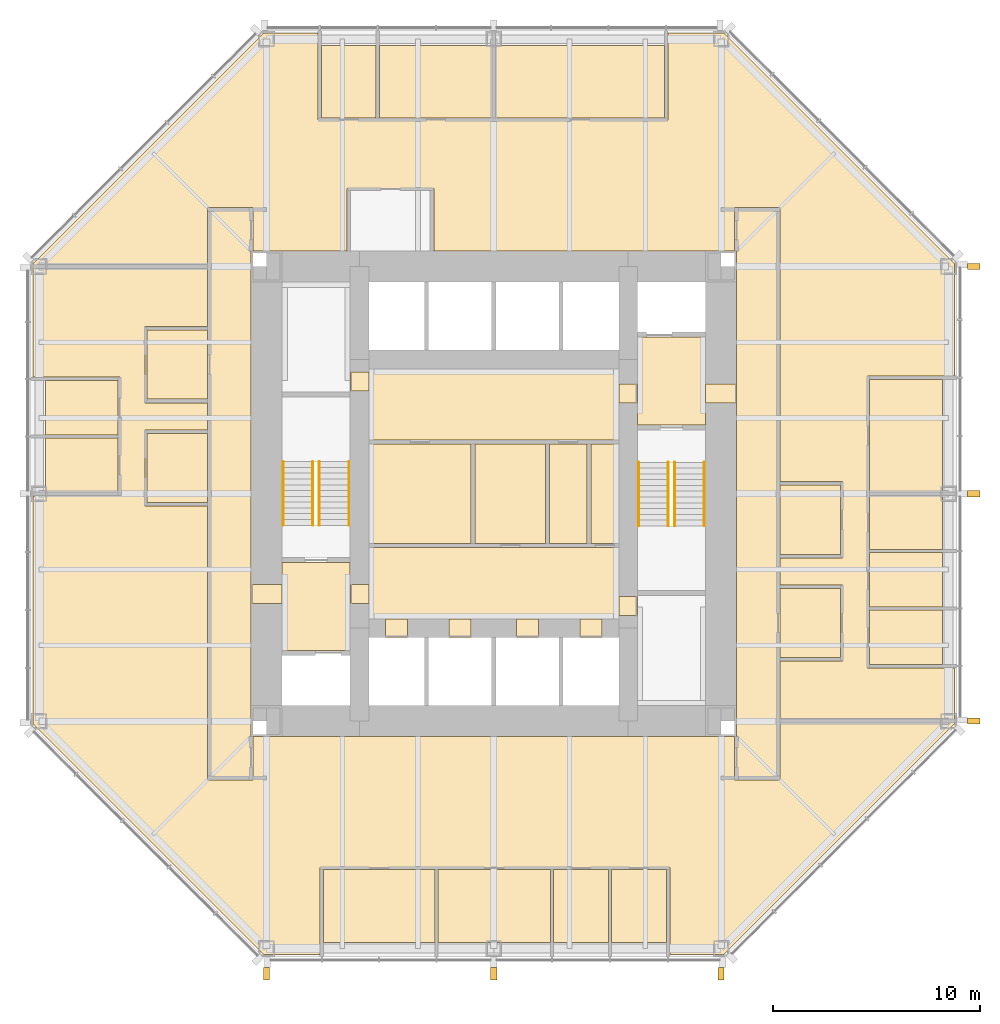
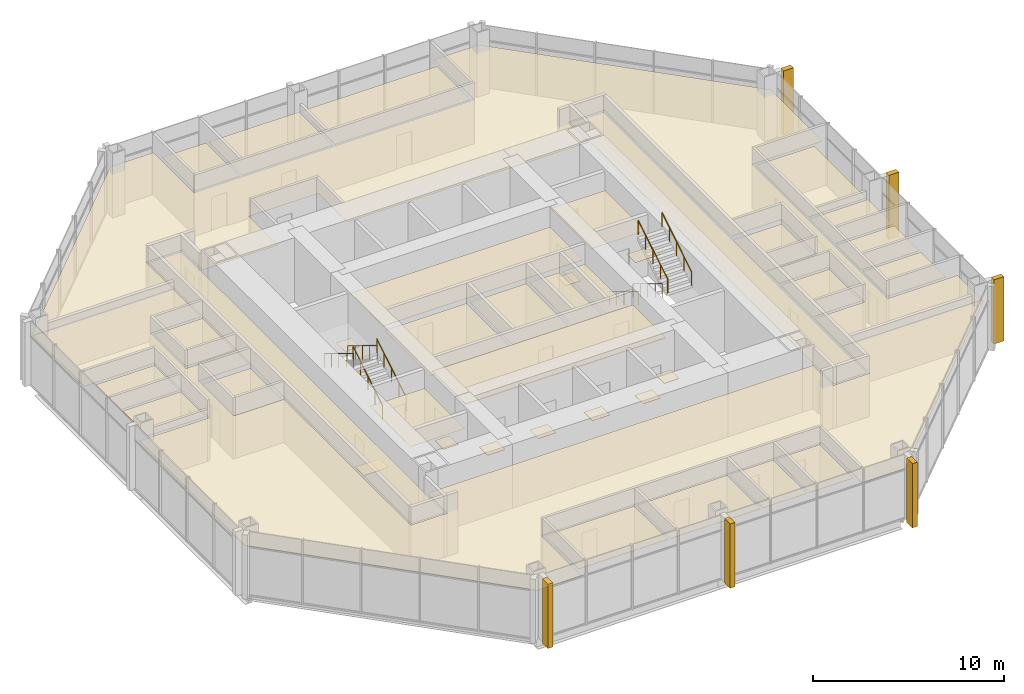
# One storey, part 12 of 12: 45 coverings, 8 railings.
"""IFC4 building model written with IfcOpenShell, lengths in metres."""

from ifc_helpers import new_model, si_unit, direction, frame, origin, origin_2d, place, context, subcontext, project, spatial, polyline, rectangle, circle, outline, extrude, material, layer, layer_set, type_object, element, save


model = new_model("IFC4")

# Units and contexts
model_context = context("Model", 3, precision=1e-05, world=origin(), true_north=direction((0.0, 1.0)))
body_context = subcontext(model_context, "Body", "Model", "MODEL_VIEW")
ifc_project = project(units=[si_unit("LENGTHUNIT", "METRE"), si_unit("AREAUNIT", "SQUARE_METRE"), si_unit("VOLUMEUNIT", "CUBIC_METRE"), si_unit("PLANEANGLEUNIT", "RADIAN"), si_unit("MASSUNIT", "GRAM", prefix="KILO")], contexts=[model_context])

# Site, building, storey
site_placement = place(None, origin())
site = spatial("IfcSite", under=ifc_project, at=site_placement, CompositionType="ELEMENT")
building_placement = place(site_placement, origin())
building = spatial("IfcBuilding", under=site, at=building_placement, Name="Trevanion Tower", CompositionType="ELEMENT")
storey_placement = place(building_placement, frame((0.0, 0.0, 141.800048828125)))
storey = spatial("IfcBuildingStorey", under=building, at=storey_placement, Name="L33", CompositionType="ELEMENT", Elevation=141.800048828125)

# Coverings
ifc_material_1 = material(Name="Fibrous plaster coffers on suspended steel grid", Category="steel")
ifc_layer_1 = layer(ifc_material_1, 0.050048828125)
ifc_layer_set_1 = layer_set([ifc_layer_1], Name="CL1 coffered fibrous plaster ceiling 50")
covering_type_1 = type_object("IfcCoveringType", Name="CL1 coffered fibrous plaster ceiling 50", PredefinedType="CEILING", material=ifc_layer_set_1)
covering_1_placement = place(storey_placement, frame((0.0, 0.0, 3.0)))
element("IfcCovering", 1, at=covering_1_placement, inside=storey, type_object=covering_type_1, Name="CL1 L33-LBS", PredefinedType="CEILING", context=body_context, shape_type="SweptSolid", body=[
    extrude(outline(polyline([(6.050048828125, -6.050048828125), (6.050048828125, -2.60009765625), (-6.050048828125, -2.60009765625), (-6.050048828125, -6.050048828125), (6.050048828125, -6.050048828125)])), origin(), (0.0, 0.0, 1.0), 0.050048828125),
])
ifc_material_2 = material(Name="Mineral fibre acoustic tiles in exposed grid", Category="mineral fibre")
ifc_layer_2 = layer(ifc_material_2, 0.02001953125)
ifc_layer_set_2 = layer_set([ifc_layer_2], Name="CL2 acoustic tile ceiling 20")
covering_type_2 = type_object("IfcCoveringType", Name="CL2 acoustic tile ceiling 20", PredefinedType="CEILING", material=ifc_layer_set_2)
covering_2_placement = place(storey_placement, frame((0.0, 0.0, 2.75)))
element("IfcCovering", 2, at=covering_2_placement, inside=storey, type_object=covering_type_2, Name="CL2 L33-LBN", PredefinedType="CEILING", context=body_context, shape_type="SweptSolid", body=[
    extrude(outline(polyline([(6.050048828125, 2.60009765625), (6.050048828125, 6.050048828125), (-6.050048828125, 6.050048828125), (-6.050048828125, 2.60009765625), (6.050048828125, 2.60009765625)])), origin(), (0.0, 0.0, 1.0), 0.02001953125),
])
covering_3_placement = place(storey_placement, frame((0.0, 0.0, 2.75)))
element("IfcCovering", 3, at=covering_3_placement, inside=storey, type_object=covering_type_2, Name="CL2 L33-CO1", PredefinedType="CEILING", context=body_context, shape_type="SweptSolid", body=[
    extrude(outline(polyline([(-11.75, 13.75), (-11.75, -13.75), (-13.75, -13.75), (-13.75, 13.75), (-11.75, 13.75)])), origin(), (0.0, 0.0, 1.0), 0.02001953125),
])
covering_4_placement = place(storey_placement, frame((0.0, 0.0, 2.75)))
element("IfcCovering", 4, at=covering_4_placement, inside=storey, type_object=covering_type_2, Name="CL2 L33-CO2", PredefinedType="CEILING", context=body_context, shape_type="SweptSolid", body=[
    extrude(outline(polyline([(11.75, 13.75), (13.75, 13.75), (13.75, -13.75), (11.75, -13.75), (11.75, 13.75)])), origin(), (0.0, 0.0, 1.0), 0.02001953125),
])
covering_5_placement = place(storey_placement, frame((0.0, 0.0, 2.75)))
element("IfcCovering", 5, at=covering_5_placement, inside=storey, type_object=covering_type_2, Name="CL2 L33-BR", PredefinedType="CEILING", context=body_context, shape_type="SweptSolid", body=[
    extrude(outline(polyline([(8.248046875, 18.175048828125), (0.074951171875, 18.175048828125), (0.074951171875, 21.699951171875), (8.248046875, 21.699951171875), (8.248046875, 18.175048828125)])), origin(), (0.0, 0.0, 1.0), 0.02001953125),
])
covering_6_placement = place(storey_placement, frame((0.0, 0.0, 2.75)))
element("IfcCovering", 6, at=covering_6_placement, inside=storey, type_object=covering_type_2, Name="CL2 L33-MR", PredefinedType="CEILING", context=body_context, shape_type="SweptSolid", body=[
    extrude(outline(polyline([(-0.074951171875, 18.175048828125), (-5.5390625, 18.175048828125), (-5.5390625, 21.699951171875), (-0.074951171875, 21.699951171875), (-0.074951171875, 18.175048828125)])), origin(), (0.0, 0.0, 1.0), 0.02001953125),
])
covering_7_placement = place(storey_placement, frame((0.0, 0.0, 2.75)))
element("IfcCovering", 7, at=covering_7_placement, inside=storey, type_object=covering_type_2, Name="CL2 L33-OF", PredefinedType="CEILING", context=body_context, shape_type="SweptSolid", body=[
    extrude(outline(polyline([(-5.68896484375, 18.175048828125), (-8.345947265625, 18.175048828125), (-8.345947265625, 21.699951171875), (-5.68896484375, 21.699951171875), (-5.68896484375, 18.175048828125)])), origin(), (0.0, 0.0, 1.0), 0.02001953125),
])
covering_8_placement = place(storey_placement, frame((0.0, 0.0, 2.75)))
element("IfcCovering", 8, at=covering_8_placement, inside=storey, type_object=covering_type_2, Name="CL2 L33-MR2", PredefinedType="CEILING", context=body_context, shape_type="SweptSolid", body=[
    extrude(outline(polyline([(-8.248046875, -18.175048828125), (-2.85009765625, -18.175048828125), (-2.85009765625, -21.699951171875), (-8.248046875, -21.699951171875), (-8.248046875, -18.175048828125)])), origin(), (0.0, 0.0, 1.0), 0.02001953125),
])
covering_9_placement = place(storey_placement, frame((0.0, 0.0, 2.75)))
element("IfcCovering", 9, at=covering_9_placement, inside=storey, type_object=covering_type_2, Name="CL2 L33-MR3", PredefinedType="CEILING", context=body_context, shape_type="SweptSolid", body=[
    extrude(outline(polyline([(-2.699951171875, -18.175048828125), (2.73193359375, -18.175048828125), (2.73193359375, -21.699951171875), (-2.699951171875, -21.699951171875), (-2.699951171875, -18.175048828125)])), origin(), (0.0, 0.0, 1.0), 0.02001953125),
])
covering_10_placement = place(storey_placement, frame((0.0, 0.0, 2.75)))
element("IfcCovering", 10, at=covering_10_placement, inside=storey, type_object=covering_type_2, Name="CL2 L33-OF2", PredefinedType="CEILING", context=body_context, shape_type="SweptSolid", body=[
    extrude(outline(polyline([(2.882080078125, -18.175048828125), (5.5390625, -18.175048828125), (5.5390625, -21.699951171875), (2.882080078125, -21.699951171875), (2.882080078125, -18.175048828125)])), origin(), (0.0, 0.0, 1.0), 0.02001953125),
])
covering_11_placement = place(storey_placement, frame((0.0, 0.0, 2.75)))
element("IfcCovering", 11, at=covering_11_placement, inside=storey, type_object=covering_type_2, Name="CL2 L33-OF3", PredefinedType="CEILING", context=body_context, shape_type="SweptSolid", body=[
    extrude(outline(polyline([(5.68896484375, -18.175048828125), (8.345947265625, -18.175048828125), (8.345947265625, -21.699951171875), (5.68896484375, -21.699951171875), (5.68896484375, -18.175048828125)])), origin(), (0.0, 0.0, 1.0), 0.02001953125),
])
covering_12_placement = place(storey_placement, frame((0.0, 0.0, 2.75)))
element("IfcCovering", 12, at=covering_12_placement, inside=storey, type_object=covering_type_2, Name="CL2 L33-OF4", PredefinedType="CEILING", context=body_context, shape_type="SweptSolid", body=[
    extrude(outline(polyline([(18.175048828125, -8.248046875), (18.175048828125, -5.6240234375), (21.699951171875, -5.6240234375), (21.699951171875, -8.248046875), (18.175048828125, -8.248046875)])), origin(), (0.0, 0.0, 1.0), 0.02001953125),
])
covering_13_placement = place(storey_placement, frame((0.0, 0.0, 2.75)))
element("IfcCovering", 13, at=covering_13_placement, inside=storey, type_object=covering_type_2, Name="CL2 L33-OF5", PredefinedType="CEILING", context=body_context, shape_type="SweptSolid", body=[
    extrude(outline(polyline([(18.175048828125, -5.47412109375), (18.175048828125, -2.85009765625), (21.699951171875, -2.85009765625), (21.699951171875, -5.47412109375), (18.175048828125, -5.47412109375)])), origin(), (0.0, 0.0, 1.0), 0.02001953125),
])
covering_14_placement = place(storey_placement, frame((0.0, 0.0, 2.75)))
element("IfcCovering", 14, at=covering_14_placement, inside=storey, type_object=covering_type_2, Name="CL2 L33-OF6", PredefinedType="CEILING", context=body_context, shape_type="SweptSolid", body=[
    extrude(outline(polyline([(18.175048828125, -2.699951171875), (18.175048828125, -0.074951171875), (21.699951171875, -0.074951171875), (21.699951171875, -2.699951171875), (18.175048828125, -2.699951171875)])), origin(), (0.0, 0.0, 1.0), 0.02001953125),
])
covering_15_placement = place(storey_placement, frame((0.0, 0.0, 2.75)))
element("IfcCovering", 15, at=covering_15_placement, inside=storey, type_object=covering_type_2, Name="CL2 L33-MR4", PredefinedType="CEILING", context=body_context, shape_type="SweptSolid", body=[
    extrude(outline(polyline([(18.175048828125, 0.074951171875), (18.175048828125, 5.5390625), (21.699951171875, 5.5390625), (21.699951171875, 0.074951171875), (18.175048828125, 0.074951171875)])), origin(), (0.0, 0.0, 1.0), 0.02001953125),
])
covering_16_placement = place(storey_placement, frame((0.0, 0.0, 2.75)))
element("IfcCovering", 16, at=covering_16_placement, inside=storey, type_object=covering_type_2, Name="CL2 L33-OF7", PredefinedType="CEILING", context=body_context, shape_type="SweptSolid", body=[
    extrude(outline(polyline([(-18.175048828125, 5.47412109375), (-18.175048828125, 2.85009765625), (-21.699951171875, 2.85009765625), (-21.699951171875, 5.47412109375), (-18.175048828125, 5.47412109375)])), origin(), (0.0, 0.0, 1.0), 0.02001953125),
])
covering_17_placement = place(storey_placement, frame((0.0, 0.0, 2.75)))
element("IfcCovering", 17, at=covering_17_placement, inside=storey, type_object=covering_type_2, Name="CL2 L33-OF8", PredefinedType="CEILING", context=body_context, shape_type="SweptSolid", body=[
    extrude(outline(polyline([(-18.175048828125, 2.699951171875), (-18.175048828125, 0.074951171875), (-21.699951171875, 0.074951171875), (-21.699951171875, 2.699951171875), (-18.175048828125, 2.699951171875)])), origin(), (0.0, 0.0, 1.0), 0.02001953125),
])
covering_18_placement = place(storey_placement, frame((0.0, 0.0, 2.75)))
element("IfcCovering", 18, at=covering_18_placement, inside=storey, type_object=covering_type_2, Name="CL2 L33-RC", PredefinedType="CEILING", context=body_context, shape_type="SweptSolid", body=[
    extrude(outline(polyline([(13.85009765625, -7.925048828125), (13.85009765625, -4.574951171875), (16.77490234375, -4.574951171875), (16.77490234375, -7.925048828125), (13.85009765625, -7.925048828125)])), origin(), (0.0, 0.0, 1.0), 0.02001953125),
])
covering_19_placement = place(storey_placement, frame((0.0, 0.0, 2.75)))
element("IfcCovering", 19, at=covering_19_placement, inside=storey, type_object=covering_type_2, Name="CL2 L33-RC2", PredefinedType="CEILING", context=body_context, shape_type="SweptSolid", body=[
    extrude(outline(polyline([(-13.85009765625, 7.925048828125), (-13.85009765625, 4.574951171875), (-16.77490234375, 4.574951171875), (-16.77490234375, 7.925048828125), (-13.85009765625, 7.925048828125)])), origin(), (0.0, 0.0, 1.0), 0.02001953125),
])
covering_20_placement = place(storey_placement, frame((0.0, 0.0, 2.75)))
element("IfcCovering", 20, at=covering_20_placement, inside=storey, type_object=covering_type_2, Name="CL2 L33-OP", PredefinedType="CEILING", context=body_context, shape_type="SweptSolid", body=[
    extrude(outline(polyline([(11.64990234375, 13.85009765625), (11.64990234375, 11.75), (-2.905029296875, 11.75), (-2.905029296875, 14.77001953125), (-7.094970703125, 14.77001953125), (-7.094970703125, 11.75), (-11.64990234375, 11.75), (-11.64990234375, 13.85009765625), (-13.85009765625, 13.85009765625), (-13.85009765625, 11.0), (-22.300048828125, 11.0), (-22.300048828125, 11.124267578125), (-11.124267578125, 22.300048828125), (-8.51611328125, 22.300048828125), (-8.51611328125, 18.080078125), (8.41796875, 18.080078125), (8.41796875, 22.300048828125), (11.124267578125, 22.300048828125), (22.300048828125, 11.124267578125), (22.300048828125, 5.708984375), (18.080078125, 5.708984375), (18.080078125, -8.41796875), (22.300048828125, -8.41796875), (22.300048828125, -11.0), (13.85009765625, -11.0), (13.85009765625, -8.094970703125), (16.8701171875, -8.094970703125), (16.8701171875, -4.405029296875), (13.85009765625, -4.405029296875), (13.85009765625, -3.094970703125), (16.8701171875, -3.094970703125), (16.8701171875, 0.594970703125), (13.85009765625, 0.594970703125), (13.85009765625, 13.85009765625), (11.64990234375, 13.85009765625)])), origin(), (0.0, 0.0, 1.0), 0.02001953125),
])
covering_21_placement = place(storey_placement, frame((0.0, 0.0, 2.75)))
element("IfcCovering", 21, at=covering_21_placement, inside=storey, type_object=covering_type_2, Name="CL2 L33-OP2", PredefinedType="CEILING", context=body_context, shape_type="SweptSolid", body=[
    extrude(outline(polyline([(11.64990234375, -13.85009765625), (13.85009765625, -13.85009765625), (13.85009765625, -11.0), (22.300048828125, -11.0), (22.300048828125, -11.124267578125), (11.124267578125, -22.300048828125), (8.51611328125, -22.300048828125), (8.51611328125, -18.080078125), (-8.41796875, -18.080078125), (-8.41796875, -22.300048828125), (-11.124267578125, -22.300048828125), (-22.300048828125, -11.124267578125), (-22.300048828125, -0.094970703125), (-18.080078125, -0.094970703125), (-18.080078125, 5.64404296875), (-22.300048828125, 5.64404296875), (-22.300048828125, 11.0), (-13.85009765625, 11.0), (-13.85009765625, 8.094970703125), (-16.8701171875, 8.094970703125), (-16.8701171875, 4.405029296875), (-13.85009765625, 4.405029296875), (-13.85009765625, 3.094970703125), (-16.8701171875, 3.094970703125), (-16.8701171875, -0.594970703125), (-13.85009765625, -0.594970703125), (-13.85009765625, -13.85009765625), (-11.64990234375, -13.85009765625), (-11.64990234375, -11.75), (11.64990234375, -11.75), (11.64990234375, -13.85009765625)])), origin(), (0.0, 0.0, 1.0), 0.02001953125),
])
ifc_material_3 = material(Name="Gypsum plasterboard on suspended metal furring", Category="gypsum")
ifc_layer_3 = layer(ifc_material_3, 0.012939453125)
ifc_layer_set_3 = layer_set([ifc_layer_3], Name="CL3 plasterboard ceiling 13")
covering_type_3 = type_object("IfcCoveringType", Name="CL3 plasterboard ceiling 13", PredefinedType="CEILING", material=ifc_layer_set_3)
covering_22_placement = place(storey_placement, frame((0.0, 0.0, 2.699951171875)))
element("IfcCovering", 22, at=covering_22_placement, inside=storey, type_object=covering_type_3, Name="CL3 L33-FV1", PredefinedType="CEILING", context=body_context, shape_type="SweptSolid", body=[
    extrude(outline(polyline([(10.25, 3.324951171875), (10.25, 7.574951171875), (6.949951171875, 7.574951171875), (6.949951171875, 3.324951171875), (10.25, 3.324951171875)])), origin(), (0.0, 0.0, 1.0), 0.012939453125),
])
covering_23_placement = place(storey_placement, frame((0.0, 0.0, 2.699951171875)))
element("IfcCovering", 23, at=covering_23_placement, inside=storey, type_object=covering_type_3, Name="CL3 L33-FV2", PredefinedType="CEILING", context=body_context, shape_type="SweptSolid", body=[
    extrude(outline(polyline([(-10.25, -3.324951171875), (-10.25, -7.574951171875), (-6.949951171875, -7.574951171875), (-6.949951171875, -3.324951171875), (-10.25, -3.324951171875)])), origin(), (0.0, 0.0, 1.0), 0.012939453125),
])
ifc_material_4 = material(Name="Moisture-resistant gypsum board on suspended metal furring", Category="gypsum")
ifc_layer_4 = layer(ifc_material_4, 0.01611328125)
ifc_layer_set_4 = layer_set([ifc_layer_4], Name="CL4 moisture-resistant board ceiling 16")
covering_type_4 = type_object("IfcCoveringType", Name="CL4 moisture-resistant board ceiling 16", PredefinedType="CEILING", material=ifc_layer_set_4)
covering_24_placement = place(storey_placement, frame((0.0, 0.0, 2.599853515625)))
element("IfcCovering", 24, at=covering_24_placement, inside=storey, type_object=covering_type_4, Name="CL4 L33-WCM", PredefinedType="CEILING", context=body_context, shape_type="SweptSolid", body=[
    extrude(outline(polyline([(-1.10009765625, -2.39990234375), (-1.10009765625, 2.39990234375), (-6.050048828125, 2.39990234375), (-6.050048828125, -2.39990234375), (-1.10009765625, -2.39990234375)])), origin(), (0.0, 0.0, 1.0), 0.01611328125),
])
covering_25_placement = place(storey_placement, frame((0.0, 0.0, 2.599853515625)))
element("IfcCovering", 25, at=covering_25_placement, inside=storey, type_object=covering_type_4, Name="CL4 L33-WCF", PredefinedType="CEILING", context=body_context, shape_type="SweptSolid", body=[
    extrude(outline(polyline([(2.5, -2.39990234375), (2.5, 2.39990234375), (-0.89990234375, 2.39990234375), (-0.89990234375, -2.39990234375), (2.5, -2.39990234375)])), origin(), (0.0, 0.0, 1.0), 0.01611328125),
])
covering_26_placement = place(storey_placement, frame((0.0, 0.0, 2.599853515625)))
element("IfcCovering", 26, at=covering_26_placement, inside=storey, type_object=covering_type_4, Name="CL4 L33-WCA", PredefinedType="CEILING", context=body_context, shape_type="SweptSolid", body=[
    extrude(outline(polyline([(4.5, -2.39990234375), (4.5, 2.39990234375), (2.699951171875, 2.39990234375), (2.699951171875, -2.39990234375), (4.5, -2.39990234375)])), origin(), (0.0, 0.0, 1.0), 0.01611328125),
])
covering_27_placement = place(storey_placement, frame((0.0, 0.0, 2.599853515625)))
element("IfcCovering", 27, at=covering_27_placement, inside=storey, type_object=covering_type_4, Name="CL4 L33-SH", PredefinedType="CEILING", context=body_context, shape_type="SweptSolid", body=[
    extrude(outline(polyline([(6.050048828125, -2.39990234375), (6.050048828125, 2.39990234375), (4.699951171875, 2.39990234375), (4.699951171875, -2.39990234375), (6.050048828125, -2.39990234375)])), origin(), (0.0, 0.0, 1.0), 0.01611328125),
])
covering_28_placement = place(storey_placement, frame((0.0, 0.0, 2.599853515625)))
element("IfcCovering", 28, at=covering_28_placement, inside=storey, type_object=covering_type_4, Name="CL4 L33-PA", PredefinedType="CEILING", context=body_context, shape_type="SweptSolid", body=[
    extrude(outline(polyline([(13.85009765625, -2.925048828125), (13.85009765625, 0.425048828125), (16.77490234375, 0.425048828125), (16.77490234375, -2.925048828125), (13.85009765625, -2.925048828125)])), origin(), (0.0, 0.0, 1.0), 0.01611328125),
])
covering_29_placement = place(storey_placement, frame((0.0, 0.0, 2.599853515625)))
element("IfcCovering", 29, at=covering_29_placement, inside=storey, type_object=covering_type_4, Name="CL4 L33-PA2", PredefinedType="CEILING", context=body_context, shape_type="SweptSolid", body=[
    extrude(outline(polyline([(-13.85009765625, 2.925048828125), (-13.85009765625, -0.425048828125), (-16.77490234375, -0.425048828125), (-16.77490234375, 2.925048828125), (-13.85009765625, 2.925048828125)])), origin(), (0.0, 0.0, 1.0), 0.01611328125),
])
ifc_material_5 = material(Name="Cast bronze fin on aluminium carrier", Category="aluminium")
covering_type_5 = type_object("IfcCoveringType", Name="F1 bronze fin", PredefinedType="CLADDING", material=ifc_material_5)
for number, where, z_axis, x_axis, name in (
    (30, (23.22509765625, -11.0, -0.190185546875), (0.0, 0.0, 1.0), (0.0, 1.0, 0.0), "F1 L33 east -11.0"),
    (31, (23.22509765625, 0.0, -0.190185546875), (0.0, 0.0, 1.0), (0.0, 1.0, 0.0), "F1 L33 east +0.0"),
    (32, (23.22509765625, 11.0, -0.190185546875), (0.0, 0.0, 1.0), (0.0, 1.0, 0.0), "F1 L33 east +11.0"),
    (33, (-11.0, -23.22509765625, -0.190185546875), (0.0, 0.0, 1.0), (1.0, 0.0, 0.0), "F1 L33 south -11.0"),
    (34, (0.0, -23.22509765625, -0.190185546875), (0.0, 0.0, 1.0), (1.0, 0.0, 0.0), "F1 L33 south +0.0"),
    (35, (11.0, -23.22509765625, -0.190185546875), (0.0, 0.0, 1.0), (1.0, 0.0, 0.0), "F1 L33 south +11.0"),
):
    element("IfcCovering", number, at=place(storey_placement, frame(where, z_axis=z_axis, x_axis=x_axis)), inside=storey, type_object=covering_type_5, Name=name, PredefinedType="CLADDING", context=body_context, shape_type="SweptSolid", body=[
        extrude(rectangle(XDim=0.300048828125, YDim=0.60009765625, at=origin_2d()), origin(), (0.0, 0.0, 1.0), 4.10009765625),
    ])
ifc_material_6 = material(Name="Terrazzo, brass divider strips", Category="stone")
ifc_layer_5 = layer(ifc_material_6, 0.02001953125)
ifc_layer_set_5 = layer_set([ifc_layer_5], Name="FF1 terrazzo flooring")
covering_type_6 = type_object("IfcCoveringType", Name="FF1 terrazzo flooring", PredefinedType="FLOORING", material=ifc_layer_set_5)
covering_30_placement = place(storey_placement, origin())
element("IfcCovering", 36, at=covering_30_placement, inside=storey, type_object=covering_type_6, Name="FF1 threshold 33-001", PredefinedType="FLOORING", context=body_context, shape_type="SweptSolid", body=[
    extrude(outline(polyline([(11.75, 4.392578125), (11.75, 5.3076171875), (10.25, 5.3076171875), (10.25, 4.392578125), (11.75, 4.392578125)])), origin(), (0.0, 0.0, 1.0), 0.02001953125),
])
covering_31_placement = place(storey_placement, origin())
element("IfcCovering", 37, at=covering_31_placement, inside=storey, type_object=covering_type_6, Name="FF1 threshold 33-002", PredefinedType="FLOORING", context=body_context, shape_type="SweptSolid", body=[
    extrude(outline(polyline([(-11.75, -4.392578125), (-11.75, -5.3076171875), (-10.25, -5.3076171875), (-10.25, -4.392578125), (-11.75, -4.392578125)])), origin(), (0.0, 0.0, 1.0), 0.02001953125),
])
covering_32_placement = place(storey_placement, origin())
element("IfcCovering", 38, at=covering_32_placement, inside=storey, type_object=covering_type_6, Name="FF1 threshold 33-003", PredefinedType="FLOORING", context=body_context, shape_type="SweptSolid", body=[
    extrude(outline(polyline([(6.949951171875, 4.392578125), (6.949951171875, 5.3076171875), (6.050048828125, 5.3076171875), (6.050048828125, 4.392578125), (6.949951171875, 4.392578125)])), origin(), (0.0, 0.0, 1.0), 0.02001953125),
])
covering_33_placement = place(storey_placement, origin())
element("IfcCovering", 39, at=covering_33_placement, inside=storey, type_object=covering_type_6, Name="FF1 threshold 33-004", PredefinedType="FLOORING", context=body_context, shape_type="SweptSolid", body=[
    extrude(outline(polyline([(-6.949951171875, -4.392578125), (-6.949951171875, -5.3076171875), (-6.050048828125, -5.3076171875), (-6.050048828125, -4.392578125), (-6.949951171875, -4.392578125)])), origin(), (0.0, 0.0, 1.0), 0.02001953125),
])
covering_34_placement = place(storey_placement, origin())
element("IfcCovering", 40, at=covering_34_placement, inside=storey, type_object=covering_type_6, Name="FF1 threshold 33-009", PredefinedType="FLOORING", context=body_context, shape_type="SweptSolid", body=[
    extrude(outline(polyline([(6.949951171875, -5.889892578125), (6.949951171875, -4.97509765625), (6.050048828125, -4.97509765625), (6.050048828125, -5.889892578125), (6.949951171875, -5.889892578125)])), origin(), (0.0, 0.0, 1.0), 0.02001953125),
])
covering_35_placement = place(storey_placement, origin())
element("IfcCovering", 41, at=covering_35_placement, inside=storey, type_object=covering_type_6, Name="FF1 threshold 33-010", PredefinedType="FLOORING", context=body_context, shape_type="SweptSolid", body=[
    extrude(outline(polyline([(-6.949951171875, 5.889892578125), (-6.949951171875, 4.97509765625), (-6.050048828125, 4.97509765625), (-6.050048828125, 5.889892578125), (-6.949951171875, 5.889892578125)])), origin(), (0.0, 0.0, 1.0), 0.02001953125),
])
covering_36_placement = place(storey_placement, origin())
element("IfcCovering", 42, at=covering_36_placement, inside=storey, type_object=covering_type_6, Name="FF1 threshold 33-011", PredefinedType="FLOORING", context=body_context, shape_type="SweptSolid", body=[
    extrude(outline(polyline([(-5.2333984375, -6.949951171875), (-4.16650390625, -6.949951171875), (-4.16650390625, -6.050048828125), (-5.2333984375, -6.050048828125), (-5.2333984375, -6.949951171875)])), origin(), (0.0, 0.0, 1.0), 0.02001953125),
])
covering_37_placement = place(storey_placement, origin())
element("IfcCovering", 43, at=covering_37_placement, inside=storey, type_object=covering_type_6, Name="FF1 threshold 33-012", PredefinedType="FLOORING", context=body_context, shape_type="SweptSolid", body=[
    extrude(outline(polyline([(-2.158447265625, -6.949951171875), (-1.091552734375, -6.949951171875), (-1.091552734375, -6.050048828125), (-2.158447265625, -6.050048828125), (-2.158447265625, -6.949951171875)])), origin(), (0.0, 0.0, 1.0), 0.02001953125),
])
covering_38_placement = place(storey_placement, origin())
element("IfcCovering", 44, at=covering_38_placement, inside=storey, type_object=covering_type_6, Name="FF1 threshold 33-013", PredefinedType="FLOORING", context=body_context, shape_type="SweptSolid", body=[
    extrude(outline(polyline([(1.091552734375, -6.949951171875), (2.158447265625, -6.949951171875), (2.158447265625, -6.050048828125), (1.091552734375, -6.050048828125), (1.091552734375, -6.949951171875)])), origin(), (0.0, 0.0, 1.0), 0.02001953125),
])
covering_39_placement = place(storey_placement, origin())
element("IfcCovering", 45, at=covering_39_placement, inside=storey, type_object=covering_type_6, Name="FF1 threshold 33-014", PredefinedType="FLOORING", context=body_context, shape_type="SweptSolid", body=[
    extrude(outline(polyline([(4.16650390625, -6.949951171875), (5.2333984375, -6.949951171875), (5.2333984375, -6.050048828125), (4.16650390625, -6.050048828125), (4.16650390625, -6.949951171875)])), origin(), (0.0, 0.0, 1.0), 0.02001953125),
])

# Railings
ifc_material_7 = material(Name="Stainless steel tube 40 mm", Category="steel")
railing_type = type_object("IfcRailingType", Name="HR1 handrail", PredefinedType="HANDRAIL", material=ifc_material_7)
for number, where, name in (
    (46, (7.010009765625, 1.52490234375, 0.170654296875), "HR1 ST1 L33 flight 1"),
    (47, (8.43994140625, 1.52490234375, 0.170654296875), "HR1 ST1 L33 flight 1"),
):
    element("IfcRailing", number, at=place(storey_placement, frame(where)), inside=storey, type_object=railing_type, Name=name, PredefinedType="HANDRAIL", context=body_context, shape_type="SweptSolid", body=[
        extrude(circle(Radius=0.02001953125, at=origin_2d()), frame((0.0, 0.0, 0.8798828125), z_axis=(0.0, -0.853617861917, 0.520899746416), x_axis=(1.0, 0.0, 0.0)), (0.0, 0.0, 1.0), 3.60791015625),
        extrude(circle(Radius=0.01513671875, at=origin_2d()), origin(), (0.0, 0.0, 1.0), 0.85986328125),
        extrude(circle(Radius=0.01513671875, at=origin_2d()), frame((0.0, -0.77001953125, 0.4697265625)), (0.0, 0.0, 1.0), 0.85986328125),
        extrude(circle(Radius=0.01513671875, at=origin_2d()), frame((0.0, -1.5400390625, 0.939697265625)), (0.0, 0.0, 1.0), 0.85986328125),
        extrude(circle(Radius=0.01513671875, at=origin_2d()), frame((0.0, -2.309814453125, 1.40966796875)), (0.0, 0.0, 1.0), 0.85986328125),
        extrude(circle(Radius=0.01513671875, at=origin_2d()), frame((0.0, -3.079833984375, 1.87939453125)), (0.0, 0.0, 1.0), 0.85986328125),
    ])
for number, where, name in (
    (48, (8.760009765625, -1.554931640625, 2.220703125), "HR1 ST1 L33 flight 2"),
    (49, (10.18994140625, -1.554931640625, 2.220703125), "HR1 ST1 L33 flight 2"),
):
    element("IfcRailing", number, at=place(storey_placement, frame(where)), inside=storey, type_object=railing_type, Name=name, PredefinedType="HANDRAIL", context=body_context, shape_type="SweptSolid", body=[
        extrude(circle(Radius=0.02001953125, at=origin_2d()), frame((0.0, 0.0, 0.8798828125), z_axis=(0.0, 0.853647949592, 0.520850437417), x_axis=(-1.0, 0.0, 0.0)), (0.0, 0.0, 1.0), 3.60791015625),
        extrude(circle(Radius=0.01513671875, at=origin_2d()), origin(), (0.0, 0.0, 1.0), 0.85986328125),
        extrude(circle(Radius=0.01513671875, at=origin_2d()), frame((0.0, 0.77001953125, 0.4697265625)), (0.0, 0.0, 1.0), 0.85986328125),
        extrude(circle(Radius=0.01513671875, at=origin_2d()), frame((0.0, 1.5400390625, 0.939453125)), (0.0, 0.0, 1.0), 0.85986328125),
        extrude(circle(Radius=0.01513671875, at=origin_2d()), frame((0.0, 2.309814453125, 1.409423828125)), (0.0, 0.0, 1.0), 0.85986328125),
        extrude(circle(Radius=0.01513671875, at=origin_2d()), frame((0.0, 3.079833984375, 1.879150390625)), (0.0, 0.0, 1.0), 0.85986328125),
    ])
for number, where, name in (
    (50, (-7.010009765625, -1.52490234375, 0.170654296875), "HR1 ST2 L33 flight 1"),
    (51, (-8.43994140625, -1.52490234375, 0.170654296875), "HR1 ST2 L33 flight 1"),
):
    element("IfcRailing", number, at=place(storey_placement, frame(where)), inside=storey, type_object=railing_type, Name=name, PredefinedType="HANDRAIL", context=body_context, shape_type="SweptSolid", body=[
        extrude(circle(Radius=0.02001953125, at=origin_2d()), frame((0.0, 0.0, 0.8798828125), z_axis=(0.0, 0.853617861917, 0.520899746416), x_axis=(-1.0, 0.0, 0.0)), (0.0, 0.0, 1.0), 3.60791015625),
        extrude(circle(Radius=0.01513671875, at=origin_2d()), origin(), (0.0, 0.0, 1.0), 0.85986328125),
        extrude(circle(Radius=0.01513671875, at=origin_2d()), frame((0.0, 0.77001953125, 0.4697265625)), (0.0, 0.0, 1.0), 0.85986328125),
        extrude(circle(Radius=0.01513671875, at=origin_2d()), frame((0.0, 1.5400390625, 0.939697265625)), (0.0, 0.0, 1.0), 0.85986328125),
        extrude(circle(Radius=0.01513671875, at=origin_2d()), frame((0.0, 2.309814453125, 1.40966796875)), (0.0, 0.0, 1.0), 0.85986328125),
        extrude(circle(Radius=0.01513671875, at=origin_2d()), frame((0.0, 3.079833984375, 1.87939453125)), (0.0, 0.0, 1.0), 0.85986328125),
    ])
for number, where, name in (
    (52, (-8.760009765625, 1.554931640625, 2.220703125), "HR1 ST2 L33 flight 2"),
    (53, (-10.18994140625, 1.554931640625, 2.220703125), "HR1 ST2 L33 flight 2"),
):
    element("IfcRailing", number, at=place(storey_placement, frame(where)), inside=storey, type_object=railing_type, Name=name, PredefinedType="HANDRAIL", context=body_context, shape_type="SweptSolid", body=[
        extrude(circle(Radius=0.02001953125, at=origin_2d()), frame((0.0, 0.0, 0.8798828125), z_axis=(0.0, -0.853647949592, 0.520850437417), x_axis=(1.0, 0.0, 0.0)), (0.0, 0.0, 1.0), 3.60791015625),
        extrude(circle(Radius=0.01513671875, at=origin_2d()), origin(), (0.0, 0.0, 1.0), 0.85986328125),
        extrude(circle(Radius=0.01513671875, at=origin_2d()), frame((0.0, -0.77001953125, 0.4697265625)), (0.0, 0.0, 1.0), 0.85986328125),
        extrude(circle(Radius=0.01513671875, at=origin_2d()), frame((0.0, -1.5400390625, 0.939453125)), (0.0, 0.0, 1.0), 0.85986328125),
        extrude(circle(Radius=0.01513671875, at=origin_2d()), frame((0.0, -2.309814453125, 1.409423828125)), (0.0, 0.0, 1.0), 0.85986328125),
        extrude(circle(Radius=0.01513671875, at=origin_2d()), frame((0.0, -3.079833984375, 1.879150390625)), (0.0, 0.0, 1.0), 0.85986328125),
    ])

save(model, "model.ifc")
